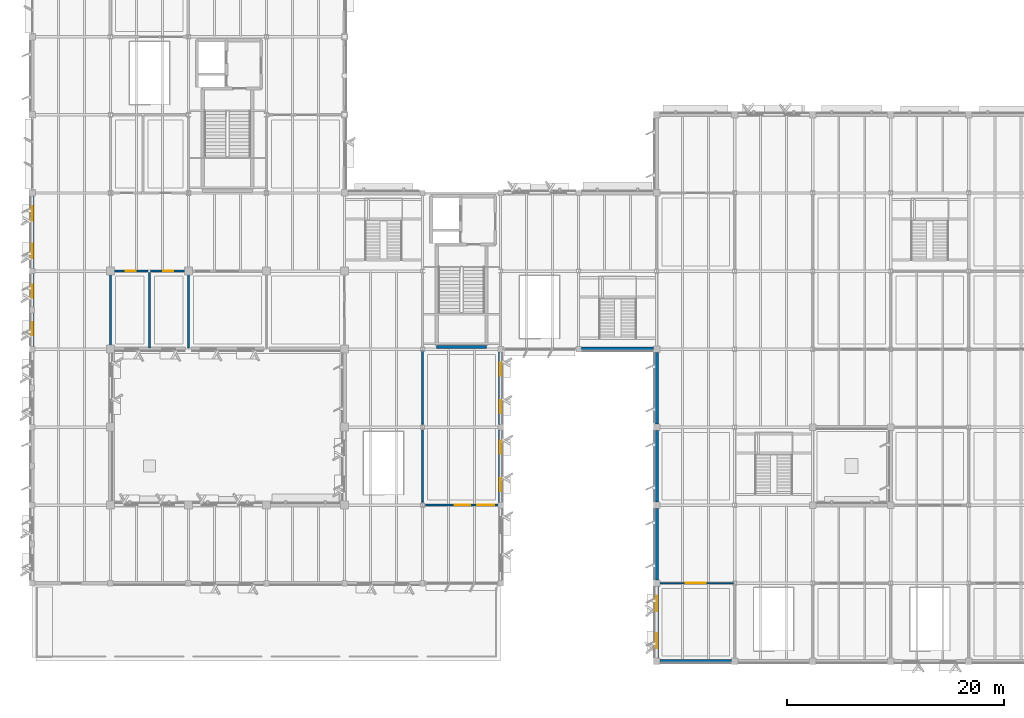
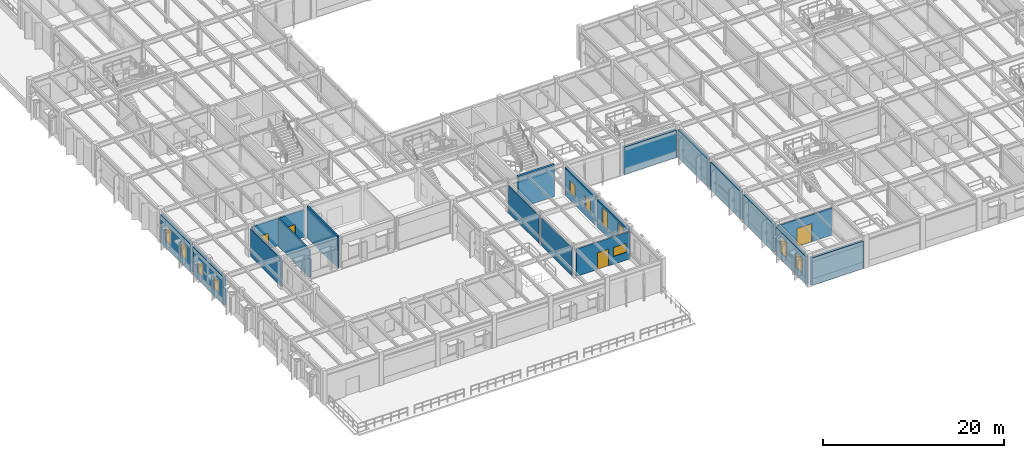
# One storey, part 32 of 92: 20 walls, 11 windows, 4 doors, 15 openings.
"""IFC4 building model written with IfcOpenShell, lengths in metres."""

from ifc_helpers import new_model, si_unit, direction, frame, frame_2d, origin, place, context, subcontext, project, spatial, rectangle, extrude, material, layer, layer_set, type_object, element, fill, save


model = new_model("IFC4")

# Units and contexts
model_context = context("Model", 3, precision=1e-05, world=origin(), true_north=direction((0.0, 1.0)))
body_context = subcontext(model_context, "Body", "Model", "MODEL_VIEW")
ifc_project = project(units=[si_unit("LENGTHUNIT", "METRE"), si_unit("AREAUNIT", "SQUARE_METRE"), si_unit("VOLUMEUNIT", "CUBIC_METRE"), si_unit("PLANEANGLEUNIT", "RADIAN"), si_unit("MASSUNIT", "GRAM", prefix="KILO")], contexts=[model_context])

# Site, building, storey
site_placement = place(None, origin())
site = spatial("IfcSite", under=ifc_project, at=site_placement, CompositionType="ELEMENT")
building_placement = place(site_placement, origin())
building = spatial("IfcBuilding", under=site, at=building_placement, Name="Sillqori Civic Hall", CompositionType="ELEMENT")
storey_placement = place(building_placement, frame((0.0, 0.0, 5.39990234375)))
storey = spatial("IfcBuildingStorey", under=building, at=storey_placement, Name="L02", CompositionType="ELEMENT", Elevation=5.39990234375)

# Wall
ifc_material_1 = material(Name="Concrete C35/45 (H35)", Category="concrete")
ifc_layer_1 = layer(ifc_material_1, 0.300048828125)
ifc_layer_set_1 = layer_set([ifc_layer_1], Name="Concrete C35/45 (H35)")
wall_type_1 = type_object("IfcWallType", Name="CW-SHR-300", PredefinedType="SHEAR", material=ifc_layer_set_1)
wall_1_placement = place(storey_placement, frame((44.510009765625, 36.199951171875, 0.0), z_axis=(0.0, 0.0, 1.0), x_axis=(1.0, 0.0, 0.0)))
element("IfcWall", 1, at=wall_1_placement, inside=storey, type_object=wall_type_1, Name="L02 C1 Stair south shear wall", PredefinedType="SHEAR", context=body_context, shape_type="SweptSolid", body=[
    extrude(rectangle(XDim=4.580078125, YDim=0.300048828125, at=frame_2d((2.2900390625, 0.0))), origin(), (0.0, 0.0, 1.0), 4.300048828125),
])

# Wall, openings, windows
ifc_material_2 = material(Name="Precast concrete C40/50 (H40)", Category="concrete")
ifc_layer_2 = layer(ifc_material_2, 0.340087890625)
ifc_layer_set_2 = layer_set([ifc_layer_2], Name="Precast concrete C40/50 (H40)")
wall_type_2 = type_object("IfcWallType", Name="EW-ARC-340", PredefinedType="SOLIDWALL", material=ifc_layer_set_2)
wall_2_placement = place(storey_placement, frame((7.199951171875, 36.25, 0.0), z_axis=(0.0, 0.0, 1.0), x_axis=(0.0, 1.0, 0.0)))
wall_2 = element("IfcWall", 2, at=wall_2_placement, inside=storey, type_object=wall_type_2, Name="L02 V1 exterior wall L02-01-05-W", PredefinedType="SOLIDWALL", context=body_context, shape_type="SweptSolid", body=[
    extrude(rectangle(XDim=6.699951171875, YDim=0.340087890625, at=frame_2d((3.35009765625, 0.0))), origin(), (0.0, 0.0, 1.0), 3.76708984375),
])
opening_1_placement = place(wall_2_placement, frame((1.008056640625, 0.0, 0.949951171875)))
opening_1 = element("IfcOpeningElement", 3, at=opening_1_placement, cuts=wall_2, Name="Opening W-22", PredefinedType="OPENING", context=body_context, shape_type="SweptSolid", body=[
    extrude(rectangle(XDim=1.199951171875, YDim=1.699951171875, at=frame_2d((0.60009765625, 0.85009765625))), frame((0.0, 0.179931640625, 0.0), z_axis=(0.0, -1.0, 0.0), x_axis=(1.0, 0.0, 0.0)), (0.0, 0.0, 1.0), 0.360107421875),
])
opening_2_placement = place(wall_2_placement, frame((4.491943359375, 0.0, 0.949951171875)))
opening_2 = element("IfcOpeningElement", 4, at=opening_2_placement, cuts=wall_2, Name="Opening W-22", PredefinedType="OPENING", context=body_context, shape_type="SweptSolid", body=[
    extrude(rectangle(XDim=1.199951171875, YDim=1.699951171875, at=frame_2d((0.60009765625, 0.85009765625))), frame((0.0, 0.179931640625, 0.0), z_axis=(0.0, -1.0, 0.0), x_axis=(1.0, 0.0, 0.0)), (0.0, 0.0, 1.0), 0.360107421875),
])
ifc_material_3 = material(Name="Thermally Broken Aluminium Low-E Window", Category="aluminium")
window_type_1 = type_object("IfcWindowType", Name="WIN-V5-120X170", PartitioningType="SINGLE_PANEL", PredefinedType="WINDOW", material=ifc_material_3)
window_1_placement = place(opening_1_placement, origin())
window_1 = element("IfcWindow", 5, at=window_1_placement, inside=storey, type_object=window_type_1, Name="L02 V1 window L02-01-05-W.1", OverallHeight=1.699951171875, OverallWidth=1.199951171875, PartitioningType="SINGLE_PANEL", PredefinedType="WINDOW", context=body_context, shape_type="SweptSolid", body=[
    extrude(rectangle(XDim=1.199951171875, YDim=1.699951171875, at=frame_2d((0.60009765625, 0.85009765625))), frame((0.0, 0.030029296875, 0.0), z_axis=(0.0, -1.0, 0.0), x_axis=(1.0, 0.0, 0.0)), (0.0, 0.0, 1.0), 0.06005859375),
])
fill(opening_1, window_1)
window_2_placement = place(opening_2_placement, origin())
window_2 = element("IfcWindow", 6, at=window_2_placement, inside=storey, type_object=window_type_1, Name="L02 V1 window L02-01-05-W.2", OverallHeight=1.699951171875, OverallWidth=1.199951171875, PartitioningType="SINGLE_PANEL", PredefinedType="WINDOW", context=body_context, shape_type="SweptSolid", body=[
    extrude(rectangle(XDim=1.199951171875, YDim=1.699951171875, at=frame_2d((0.60009765625, 0.85009765625))), frame((0.0, 0.030029296875, 0.0), z_axis=(0.0, -1.0, 0.0), x_axis=(1.0, 0.0, 0.0)), (0.0, 0.0, 1.0), 0.06005859375),
])
fill(opening_2, window_2)

wall_3_placement = place(storey_placement, frame((7.199951171875, 43.449951171875, 0.0), z_axis=(0.0, 0.0, 1.0), x_axis=(0.0, 1.0, 0.0)))
wall_3 = element("IfcWall", 7, at=wall_3_placement, inside=storey, type_object=wall_type_2, Name="L02 V1 exterior wall L02-01-06-W", PredefinedType="SOLIDWALL", context=body_context, shape_type="SweptSolid", body=[
    extrude(rectangle(XDim=6.650146484375, YDim=0.340087890625, at=frame_2d((3.3251953125, 0.0))), origin(), (0.0, 0.0, 1.0), 3.76708984375),
])
opening_3_placement = place(wall_3_placement, frame((0.946044921875, 0.0, 0.949951171875)))
opening_3 = element("IfcOpeningElement", 8, at=opening_3_placement, cuts=wall_3, Name="Opening W-10", PredefinedType="OPENING", context=body_context, shape_type="SweptSolid", body=[
    extrude(rectangle(XDim=1.300048828125, YDim=2.0, at=frame_2d((0.64990234375, 1.0))), frame((0.0, 0.179931640625, 0.0), z_axis=(0.0, -1.0, 0.0), x_axis=(1.0, 0.0, 0.0)), (0.0, 0.0, 1.0), 0.360107421875),
])
opening_4_placement = place(wall_3_placement, frame((4.404052734375, 0.0, 0.949951171875)))
opening_4 = element("IfcOpeningElement", 9, at=opening_4_placement, cuts=wall_3, Name="Opening W-10", PredefinedType="OPENING", context=body_context, shape_type="SweptSolid", body=[
    extrude(rectangle(XDim=1.300048828125, YDim=2.0, at=frame_2d((0.64990234375, 1.0))), frame((0.0, 0.179931640625, 0.0), z_axis=(0.0, -1.0, 0.0), x_axis=(1.0, 0.0, 0.0)), (0.0, 0.0, 1.0), 0.360107421875),
])
window_type_2 = type_object("IfcWindowType", Name="WIN-V3-130X200", PartitioningType="SINGLE_PANEL", PredefinedType="WINDOW", material=ifc_material_3)
window_3_placement = place(opening_3_placement, origin())
window_3 = element("IfcWindow", 10, at=window_3_placement, inside=storey, type_object=window_type_2, Name="L02 V1 window L02-01-06-W.1", OverallHeight=2.0, OverallWidth=1.300048828125, PartitioningType="SINGLE_PANEL", PredefinedType="WINDOW", context=body_context, shape_type="SweptSolid", body=[
    extrude(rectangle(XDim=1.300048828125, YDim=2.0, at=frame_2d((0.64990234375, 1.0))), frame((0.0, 0.030029296875, 0.0), z_axis=(0.0, -1.0, 0.0), x_axis=(1.0, 0.0, 0.0)), (0.0, 0.0, 1.0), 0.06005859375),
])
fill(opening_3, window_3)
window_4_placement = place(opening_4_placement, origin())
window_4 = element("IfcWindow", 11, at=window_4_placement, inside=storey, type_object=window_type_2, Name="L02 V1 window L02-01-06-W.2", OverallHeight=2.0, OverallWidth=1.300048828125, PartitioningType="SINGLE_PANEL", PredefinedType="WINDOW", context=body_context, shape_type="SweptSolid", body=[
    extrude(rectangle(XDim=1.300048828125, YDim=2.0, at=frame_2d((0.64990234375, 1.0))), frame((0.0, 0.030029296875, 0.0), z_axis=(0.0, -1.0, 0.0), x_axis=(1.0, 0.0, 0.0)), (0.0, 0.0, 1.0), 0.06005859375),
])
fill(opening_4, window_4)

wall_4_placement = place(storey_placement, frame((50.39990234375, 28.550048828125, 0.0), z_axis=(0.0, 0.0, 1.0), x_axis=(0.0, -1.0, 0.0)))
wall_4 = element("IfcWall", 12, at=wall_4_placement, inside=storey, type_object=wall_type_2, Name="L02 V1 exterior wall L02-06-03-E", PredefinedType="SOLIDWALL", context=body_context, shape_type="SweptSolid", body=[
    extrude(rectangle(XDim=6.699951171875, YDim=0.340087890625, at=frame_2d((3.35009765625, 0.0))), origin(), (0.0, 0.0, 1.0), 3.76708984375),
])
opening_5_placement = place(wall_4_placement, frame((1.008056640625, 0.0, 0.949951171875)))
opening_5 = element("IfcOpeningElement", 13, at=opening_5_placement, cuts=wall_4, Name="Opening W-06", PredefinedType="OPENING", context=body_context, shape_type="SweptSolid", body=[
    extrude(rectangle(XDim=1.199951171875, YDim=2.39990234375, at=frame_2d((0.60009765625, 1.199951171875))), frame((0.0, 0.179931640625, 0.0), z_axis=(0.0, -1.0, 0.0), x_axis=(1.0, 0.0, 0.0)), (0.0, 0.0, 1.0), 0.360107421875),
])
opening_6_placement = place(wall_4_placement, frame((4.491943359375, 0.0, 0.949951171875)))
opening_6 = element("IfcOpeningElement", 14, at=opening_6_placement, cuts=wall_4, Name="Opening W-06", PredefinedType="OPENING", context=body_context, shape_type="SweptSolid", body=[
    extrude(rectangle(XDim=1.199951171875, YDim=2.39990234375, at=frame_2d((0.60009765625, 1.199951171875))), frame((0.0, 0.179931640625, 0.0), z_axis=(0.0, -1.0, 0.0), x_axis=(1.0, 0.0, 0.0)), (0.0, 0.0, 1.0), 0.360107421875),
])
window_type_3 = type_object("IfcWindowType", Name="WIN-V1-120X240", PartitioningType="SINGLE_PANEL", PredefinedType="WINDOW", material=ifc_material_3)
window_5_placement = place(opening_5_placement, origin())
window_5 = element("IfcWindow", 15, at=window_5_placement, inside=storey, type_object=window_type_3, Name="L02 V1 window L02-06-03-E.1", OverallHeight=2.39990234375, OverallWidth=1.199951171875, PartitioningType="SINGLE_PANEL", PredefinedType="WINDOW", context=body_context, shape_type="SweptSolid", body=[
    extrude(rectangle(XDim=1.199951171875, YDim=2.39990234375, at=frame_2d((0.60009765625, 1.199951171875))), frame((0.0, 0.030029296875, 0.0), z_axis=(0.0, -1.0, 0.0), x_axis=(1.0, 0.0, 0.0)), (0.0, 0.0, 1.0), 0.06005859375),
])
fill(opening_5, window_5)
window_6_placement = place(opening_6_placement, origin())
window_6 = element("IfcWindow", 16, at=window_6_placement, inside=storey, type_object=window_type_3, Name="L02 V1 window L02-06-03-E.2", OverallHeight=2.39990234375, OverallWidth=1.199951171875, PartitioningType="SINGLE_PANEL", PredefinedType="WINDOW", context=body_context, shape_type="SweptSolid", body=[
    extrude(rectangle(XDim=1.199951171875, YDim=2.39990234375, at=frame_2d((0.60009765625, 1.199951171875))), frame((0.0, 0.030029296875, 0.0), z_axis=(0.0, -1.0, 0.0), x_axis=(1.0, 0.0, 0.0)), (0.0, 0.0, 1.0), 0.06005859375),
])
fill(opening_6, window_6)

wall_5_placement = place(storey_placement, frame((50.39990234375, 35.75, 0.0), z_axis=(0.0, 0.0, 1.0), x_axis=(0.0, -1.0, 0.0)))
wall_5 = element("IfcWall", 17, at=wall_5_placement, inside=storey, type_object=wall_type_2, Name="L02 V1 exterior wall L02-06-04-E", PredefinedType="SOLIDWALL", context=body_context, shape_type="SweptSolid", body=[
    extrude(rectangle(XDim=6.699951171875, YDim=0.340087890625, at=frame_2d((3.35009765625, 0.0))), origin(), (0.0, 0.0, 1.0), 3.76708984375),
])
opening_7_placement = place(wall_5_placement, frame((1.008056640625, 0.0, 0.949951171875)))
opening_7 = element("IfcOpeningElement", 18, at=opening_7_placement, cuts=wall_5, Name="Opening W-22", PredefinedType="OPENING", context=body_context, shape_type="SweptSolid", body=[
    extrude(rectangle(XDim=1.199951171875, YDim=1.699951171875, at=frame_2d((0.60009765625, 0.85009765625))), frame((0.0, 0.179931640625, 0.0), z_axis=(0.0, -1.0, 0.0), x_axis=(1.0, 0.0, 0.0)), (0.0, 0.0, 1.0), 0.360107421875),
])
opening_8_placement = place(wall_5_placement, frame((4.491943359375, 0.0, 0.949951171875)))
opening_8 = element("IfcOpeningElement", 19, at=opening_8_placement, cuts=wall_5, Name="Opening W-22", PredefinedType="OPENING", context=body_context, shape_type="SweptSolid", body=[
    extrude(rectangle(XDim=1.199951171875, YDim=1.699951171875, at=frame_2d((0.60009765625, 0.85009765625))), frame((0.0, 0.179931640625, 0.0), z_axis=(0.0, -1.0, 0.0), x_axis=(1.0, 0.0, 0.0)), (0.0, 0.0, 1.0), 0.360107421875),
])
window_7_placement = place(opening_7_placement, origin())
window_7 = element("IfcWindow", 20, at=window_7_placement, inside=storey, type_object=window_type_1, Name="L02 V1 window L02-06-04-E.1", OverallHeight=1.699951171875, OverallWidth=1.199951171875, PartitioningType="SINGLE_PANEL", PredefinedType="WINDOW", context=body_context, shape_type="SweptSolid", body=[
    extrude(rectangle(XDim=1.199951171875, YDim=1.699951171875, at=frame_2d((0.60009765625, 0.85009765625))), frame((0.0, 0.030029296875, 0.0), z_axis=(0.0, -1.0, 0.0), x_axis=(1.0, 0.0, 0.0)), (0.0, 0.0, 1.0), 0.06005859375),
])
fill(opening_7, window_7)
window_8_placement = place(opening_8_placement, origin())
window_8 = element("IfcWindow", 21, at=window_8_placement, inside=storey, type_object=window_type_1, Name="L02 V1 window L02-06-04-E.2", OverallHeight=1.699951171875, OverallWidth=1.199951171875, PartitioningType="SINGLE_PANEL", PredefinedType="WINDOW", context=body_context, shape_type="SweptSolid", body=[
    extrude(rectangle(XDim=1.199951171875, YDim=1.699951171875, at=frame_2d((0.60009765625, 0.85009765625))), frame((0.0, 0.030029296875, 0.0), z_axis=(0.0, -1.0, 0.0), x_axis=(1.0, 0.0, 0.0)), (0.0, 0.0, 1.0), 0.06005859375),
])
fill(opening_8, window_8)

# Walls
wall_6_placement = place(storey_placement, frame((64.5, 36.0, 0.0), z_axis=(0.0, 0.0, 1.0), x_axis=(-1.0, 0.0, 0.0)))
element("IfcWall", 22, at=wall_6_placement, inside=storey, type_object=wall_type_2, Name="L02 V1 exterior wall L02-08-05-S", PredefinedType="SOLIDWALL", context=body_context, shape_type="SweptSolid", body=[
    extrude(rectangle(XDim=6.64990234375, YDim=0.340087890625, at=frame_2d((3.324951171875, 0.0))), origin(), (0.0, 0.0, 1.0), 3.697998046875),
])
ifc_layer_3 = layer(ifc_material_2, 0.320068359375)
ifc_layer_set_3 = layer_set([ifc_layer_3], Name="Precast concrete C40/50 (H40)")
wall_type_3 = type_object("IfcWallType", Name="EW-LIME-320", PredefinedType="SOLIDWALL", material=ifc_layer_set_3)
wall_7_placement = place(storey_placement, frame((71.699951171875, 7.199951171875, 0.0), z_axis=(0.0, 0.0, 1.0), x_axis=(-1.0, 0.0, 0.0)))
element("IfcWall", 23, at=wall_7_placement, inside=storey, type_object=wall_type_3, Name="L02 V2 exterior wall L02-09-01-S", PredefinedType="SOLIDWALL", context=body_context, shape_type="SweptSolid", body=[
    extrude(rectangle(XDim=6.599853515625, YDim=0.320068359375, at=frame_2d((3.2998046875, 0.0))), origin(), (0.0, 0.0, 1.0), 3.697998046875),
])

# Wall, openings, windows
wall_8_placement = place(storey_placement, frame((64.800048828125, 7.5, 0.0), z_axis=(0.0, 0.0, 1.0), x_axis=(0.0, 1.0, 0.0)))
wall_8 = element("IfcWall", 24, at=wall_8_placement, inside=storey, type_object=wall_type_3, Name="L02 V2 exterior wall L02-09-01-W", PredefinedType="SOLIDWALL", context=body_context, shape_type="SweptSolid", body=[
    extrude(rectangle(XDim=6.60009765625, YDim=0.320068359375, at=frame_2d((3.300048828125, 0.0))), origin(), (0.0, 0.0, 1.0), 3.76708984375),
])
opening_9_placement = place(wall_8_placement, frame((0.884033203125, 0.0, 0.949951171875)))
opening_9 = element("IfcOpeningElement", 25, at=opening_9_placement, cuts=wall_8, Name="Opening W-03", PredefinedType="OPENING", context=body_context, shape_type="SweptSolid", body=[
    extrude(rectangle(XDim=1.39990234375, YDim=2.10009765625, at=frame_2d((0.699951171875, 1.050048828125))), frame((0.0, 0.169921875, 0.0), z_axis=(0.0, -1.0, 0.0), x_axis=(1.0, 0.0, 0.0)), (0.0, 0.0, 1.0), 0.340087890625),
])
opening_10_placement = place(wall_8_placement, frame((4.31591796875, 0.0, 0.949951171875)))
opening_10 = element("IfcOpeningElement", 26, at=opening_10_placement, cuts=wall_8, Name="Opening W-03", PredefinedType="OPENING", context=body_context, shape_type="SweptSolid", body=[
    extrude(rectangle(XDim=1.39990234375, YDim=2.10009765625, at=frame_2d((0.699951171875, 1.050048828125))), frame((0.0, 0.169921875, 0.0), z_axis=(0.0, -1.0, 0.0), x_axis=(1.0, 0.0, 0.0)), (0.0, 0.0, 1.0), 0.340087890625),
])
window_type_4 = type_object("IfcWindowType", Name="WIN-V2-140X210", PartitioningType="SINGLE_PANEL", PredefinedType="WINDOW", material=ifc_material_3)
window_9_placement = place(opening_9_placement, origin())
window_9 = element("IfcWindow", 27, at=window_9_placement, inside=storey, type_object=window_type_4, Name="L02 V2 window L02-09-01-W.1", OverallHeight=2.10009765625, OverallWidth=1.39990234375, PartitioningType="SINGLE_PANEL", PredefinedType="WINDOW", context=body_context, shape_type="SweptSolid", body=[
    extrude(rectangle(XDim=1.39990234375, YDim=2.10009765625, at=frame_2d((0.699951171875, 1.050048828125))), frame((0.0, 0.030029296875, 0.0), z_axis=(0.0, -1.0, 0.0), x_axis=(1.0, 0.0, 0.0)), (0.0, 0.0, 1.0), 0.06005859375),
])
fill(opening_9, window_9)
window_10_placement = place(opening_10_placement, origin())
window_10 = element("IfcWindow", 28, at=window_10_placement, inside=storey, type_object=window_type_4, Name="L02 V2 window L02-09-01-W.2", OverallHeight=2.10009765625, OverallWidth=1.39990234375, PartitioningType="SINGLE_PANEL", PredefinedType="WINDOW", context=body_context, shape_type="SweptSolid", body=[
    extrude(rectangle(XDim=1.39990234375, YDim=2.10009765625, at=frame_2d((0.699951171875, 1.050048828125))), frame((0.0, 0.030029296875, 0.0), z_axis=(0.0, -1.0, 0.0), x_axis=(1.0, 0.0, 0.0)), (0.0, 0.0, 1.0), 0.06005859375),
])
fill(opening_10, window_10)

# Walls
for number, where, z_axis, x_axis, name in (
    (29, (64.800048828125, 14.699951171875, 0.0), (0.0, 0.0, 1.0), (0.0, 1.0, 0.0), "L02 V2 exterior wall L02-09-02-W"),
    (30, (64.800048828125, 21.89990234375, 0.0), (0.0, 0.0, 1.0), (0.0, 1.0, 0.0), "L02 V2 exterior wall L02-09-03-W"),
):
    element("IfcWall", number, at=place(storey_placement, frame(where, z_axis=z_axis, x_axis=x_axis)), inside=storey, type_object=wall_type_3, Name=name, PredefinedType="SOLIDWALL", context=body_context, shape_type="SweptSolid", body=[
        extrude(rectangle(XDim=6.60009765625, YDim=0.320068359375, at=frame_2d((3.300048828125, 0.0))), origin(), (0.0, 0.0, 1.0), 3.76708984375),
    ])
wall_9_placement = place(storey_placement, frame((64.800048828125, 29.10009765625, 0.0), z_axis=(0.0, 0.0, 1.0), x_axis=(0.0, 1.0, 0.0)))
element("IfcWall", 31, at=wall_9_placement, inside=storey, type_object=wall_type_3, Name="L02 V2 exterior wall L02-09-04-W", PredefinedType="SOLIDWALL", context=body_context, shape_type="SweptSolid", body=[
    extrude(rectangle(XDim=6.599853515625, YDim=0.320068359375, at=frame_2d((3.2998046875, 0.0))), origin(), (0.0, 0.0, 1.0), 3.76708984375),
])

# Wall, opening, door
ifc_material_4 = material(Name="Corridor Fire-Rated Partition 150", Category="gypsum")
ifc_layer_4 = layer(ifc_material_4, 0.14990234375)
ifc_layer_set_4 = layer_set([ifc_layer_4], Name="Corridor Fire-Rated Partition 150")
wall_type_4 = type_object("IfcWallType", Name="PT-GYP-150", PredefinedType="PARTITIONING", material=ifc_layer_set_4)
wall_10_placement = place(storey_placement, frame((64.919921875, 14.39990234375, 0.0), z_axis=(0.0, 0.0, 1.0), x_axis=(1.0, 0.0, 0.0)))
wall_10 = element("IfcWall", 32, at=wall_10_placement, inside=storey, type_object=wall_type_4, Name="Citizens Tax and Property Assessment Suite partition N1", PredefinedType="PARTITIONING", context=body_context, shape_type="SweptSolid", body=[
    extrude(rectangle(XDim=6.9599609375, YDim=0.14990234375, at=frame_2d((3.47998046875, 0.0))), origin(), (0.0, 0.0, 1.0), 3.68798828125),
])
opening_11_placement = place(wall_10_placement, frame((2.554931640625, 0.0, 0.0)))
opening_11 = element("IfcOpeningElement", 33, at=opening_11_placement, cuts=wall_10, Name="Opening ID-05", PredefinedType="OPENING", context=body_context, shape_type="SweptSolid", body=[
    extrude(rectangle(XDim=1.85009765625, YDim=2.449951171875, at=frame_2d((0.925048828125, 1.22509765625))), frame((0.0, 0.0849609375, 0.0), z_axis=(0.0, -1.0, 0.0), x_axis=(1.0, 0.0, 0.0)), (0.0, 0.0, 1.0), 0.169921875),
])
ifc_material_5 = material(Name="Citizens Counter Glazed Double Door", Category="aluminium")
door_type_1 = type_object("IfcDoorType", Name="IDR-CSC-185X245", OperationType="NOTDEFINED", PredefinedType="DOOR", material=ifc_material_5)
door_1_placement = place(opening_11_placement, origin())
door_1 = element("IfcDoor", 34, at=door_1_placement, inside=storey, type_object=door_type_1, Name="Citizens Tax and Property Assessment Suite entrance door", OperationType="DOUBLE_DOOR_SINGLE_SWING", OverallHeight=2.449951171875, OverallWidth=1.85009765625, PredefinedType="DOOR", context=body_context, shape_type="SweptSolid", body=[
    extrude(rectangle(XDim=1.85009765625, YDim=2.449951171875, at=frame_2d((0.925048828125, 1.22509765625))), frame((0.0, 0.02490234375, 0.0), z_axis=(0.0, -1.0, 0.0), x_axis=(1.0, 0.0, 0.0)), (0.0, 0.0, 1.0), 0.050048828125),
])
fill(opening_11, door_1)

# Wall, openings, door, window
ifc_material_6 = material(Name="Concrete C25/30 (H25)", Category="concrete")
ifc_layer_5 = layer(ifc_material_6, 0.175048828125)
ifc_layer_set_5 = layer_set([ifc_layer_5], Name="Concrete C25/30 (H25)")
wall_type_5 = type_object("IfcWallType", Name="PT-MAS-175", PredefinedType="PARTITIONING", material=ifc_layer_set_5)
wall_11_placement = place(storey_placement, frame((50.280029296875, 21.60009765625, 0.0), z_axis=(0.0, 0.0, 1.0), x_axis=(-1.0, 0.0, 0.0)))
wall_11 = element("IfcWall", 35, at=wall_11_placement, inside=storey, type_object=wall_type_5, Name="Broadcast Control and Parliamentary Recording Room partition S1", PredefinedType="PARTITIONING", context=body_context, shape_type="SweptSolid", body=[
    extrude(rectangle(XDim=6.800048828125, YDim=0.175048828125, at=frame_2d((3.39990234375, 0.0))), origin(), (0.0, 0.0, 1.0), 3.68798828125),
])
opening_12_placement = place(wall_11_placement, frame((2.68994140625, 0.0, 0.0)))
opening_12 = element("IfcOpeningElement", 36, at=opening_12_placement, cuts=wall_11, Name="Opening ID-34", PredefinedType="OPENING", context=body_context, shape_type="SweptSolid", body=[
    extrude(rectangle(XDim=1.419921875, YDim=2.260009765625, at=frame_2d((0.7099609375, 1.1298828125))), frame((0.0, 0.097412109375, 0.0), z_axis=(0.0, -1.0, 0.0), x_axis=(1.0, 0.0, 0.0)), (0.0, 0.0, 1.0), 0.195068359375),
])
opening_13_placement = place(wall_11_placement, frame((0.449951171875, 0.0, 1.050048828125)))
opening_13 = element("IfcOpeningElement", 37, at=opening_13_placement, cuts=wall_11, Name="Opening IW-01", PredefinedType="OPENING", context=body_context, shape_type="SweptSolid", body=[
    extrude(rectangle(XDim=1.60009765625, YDim=1.199951171875, at=frame_2d((0.800048828125, 0.60009765625))), frame((0.0, 0.097412109375, 0.0), z_axis=(0.0, -1.0, 0.0), x_axis=(1.0, 0.0, 0.0)), (0.0, 0.0, 1.0), 0.195068359375),
])
ifc_material_7 = material(Name="Planning Studio Double Door 1420", Category="timber")
door_type_2 = type_object("IfcDoorType", Name="IDR-DIR-142X226", OperationType="NOTDEFINED", PredefinedType="DOOR", material=ifc_material_7)
door_2_placement = place(opening_12_placement, origin())
door_2 = element("IfcDoor", 38, at=door_2_placement, inside=storey, type_object=door_type_2, Name="Broadcast Control and Parliamentary Recording Room entrance door", OperationType="DOUBLE_DOOR_SINGLE_SWING", OverallHeight=2.260009765625, OverallWidth=1.419921875, PredefinedType="DOOR", context=body_context, shape_type="SweptSolid", body=[
    extrude(rectangle(XDim=1.419921875, YDim=2.260009765625, at=frame_2d((0.7099609375, 1.1298828125))), frame((0.0, 0.02490234375, 0.0), z_axis=(0.0, -1.0, 0.0), x_axis=(1.0, 0.0, 0.0)), (0.0, 0.0, 1.0), 0.050048828125),
])
fill(opening_12, door_2)
ifc_material_8 = material(Name="Acoustic Laminated Interior Clerestory Glazing", Category="glass")
window_type_5 = type_object("IfcWindowType", Name="IWN-OFF-160X120", PartitioningType="SINGLE_PANEL", PredefinedType="WINDOW", material=ifc_material_8)
window_11_placement = place(opening_13_placement, origin())
window_11 = element("IfcWindow", 39, at=window_11_placement, inside=storey, type_object=window_type_5, Name="Broadcast Control and Parliamentary Recording Room borrowed-light screen", OverallHeight=1.199951171875, OverallWidth=1.60009765625, PartitioningType="SINGLE_PANEL", PredefinedType="WINDOW", context=body_context, shape_type="SweptSolid", body=[
    extrude(rectangle(XDim=1.60009765625, YDim=1.199951171875, at=frame_2d((0.800048828125, 0.60009765625))), frame((0.0, 0.030029296875, 0.0), z_axis=(0.0, -1.0, 0.0), x_axis=(1.0, 0.0, 0.0)), (0.0, 0.0, 1.0), 0.06005859375),
])
fill(opening_13, window_11)

# Walls
wall_12_placement = place(storey_placement, frame((43.199951171875, 21.8798828125, 0.0), z_axis=(0.0, 0.0, 1.0), x_axis=(0.0, 1.0, 0.0)))
element("IfcWall", 40, at=wall_12_placement, inside=storey, type_object=wall_type_5, Name="Broadcast Control and Parliamentary Recording Room partition W3", PredefinedType="PARTITIONING", context=body_context, shape_type="SweptSolid", body=[
    extrude(rectangle(XDim=6.64013671875, YDim=0.175048828125, at=frame_2d((3.320068359375, 0.0))), origin(), (0.0, 0.0, 1.0), 3.757080078125),
])
wall_13_placement = place(storey_placement, frame((43.199951171875, 29.080078125, 0.0), z_axis=(0.0, 0.0, 1.0), x_axis=(0.0, 1.0, 0.0)))
element("IfcWall", 41, at=wall_13_placement, inside=storey, type_object=wall_type_5, Name="Broadcast Control and Parliamentary Recording Room partition W4", PredefinedType="PARTITIONING", context=body_context, shape_type="SweptSolid", body=[
    extrude(rectangle(XDim=6.7998046875, YDim=0.175048828125, at=frame_2d((3.39990234375, 0.0))), origin(), (0.0, 0.0, 1.0), 3.68798828125),
])

# Wall, opening, door
ifc_layer_6 = layer(ifc_material_6, 0.18994140625)
ifc_layer_set_6 = layer_set([ifc_layer_6], Name="Concrete C25/30 (H25)")
wall_type_6 = type_object("IfcWallType", Name="PT-MAS-190", PredefinedType="PARTITIONING", material=ifc_layer_set_6)
wall_14_placement = place(storey_placement, frame((14.679931640625, 43.199951171875, 0.0), z_axis=(0.0, 0.0, 1.0), x_axis=(1.0, 0.0, 0.0)))
wall_14 = element("IfcWall", 42, at=wall_14_placement, inside=storey, type_object=wall_type_6, Name="L02 Public Male WC partition N1", PredefinedType="PARTITIONING", context=body_context, shape_type="SweptSolid", body=[
    extrude(rectangle(XDim=3.199951171875, YDim=0.18994140625, at=frame_2d((1.60009765625, 0.0))), origin(), (0.0, 0.0, 1.0), 3.68798828125),
])
opening_14_placement = place(wall_14_placement, frame((1.1201171875, 0.0, 0.0)))
opening_14 = element("IfcOpeningElement", 43, at=opening_14_placement, cuts=wall_14, Name="Opening ID-20", PredefinedType="OPENING", context=body_context, shape_type="SweptSolid", body=[
    extrude(rectangle(XDim=0.9599609375, YDim=2.10009765625, at=frame_2d((0.47998046875, 1.050048828125))), frame((0.0, 0.10498046875, 0.0), z_axis=(0.0, -1.0, 0.0), x_axis=(1.0, 0.0, 0.0)), (0.0, 0.0, 1.0), 0.2099609375),
])
ifc_material_9 = material(Name="Moisture-Resistant Sanitary Door 960", Category="timber")
door_type_3 = type_object("IfcDoorType", Name="IDR-WC-096X210", OperationType="NOTDEFINED", PredefinedType="DOOR", material=ifc_material_9)
door_3_placement = place(opening_14_placement, origin())
door_3 = element("IfcDoor", 44, at=door_3_placement, inside=storey, type_object=door_type_3, Name="L02 Public Male WC entrance door", OperationType="SINGLE_SWING_RIGHT", OverallHeight=2.10009765625, OverallWidth=0.9599609375, PredefinedType="DOOR", context=body_context, shape_type="SweptSolid", body=[
    extrude(rectangle(XDim=0.9599609375, YDim=2.10009765625, at=frame_2d((0.47998046875, 1.050048828125))), frame((0.0, 0.02490234375, 0.0), z_axis=(0.0, -1.0, 0.0), x_axis=(1.0, 0.0, 0.0)), (0.0, 0.0, 1.0), 0.050048828125),
])
fill(opening_14, door_3)

# Walls
wall_15_placement = place(storey_placement, frame((14.39990234375, 36.1201171875, 0.0), z_axis=(0.0, 0.0, 1.0), x_axis=(0.0, 1.0, 0.0)))
element("IfcWall", 45, at=wall_15_placement, inside=storey, type_object=wall_type_6, Name="L02 Public Male WC partition W2", PredefinedType="PARTITIONING", context=body_context, shape_type="SweptSolid", body=[
    extrude(rectangle(XDim=6.7998046875, YDim=0.18994140625, at=frame_2d((3.39990234375, 0.0))), origin(), (0.0, 0.0, 1.0), 3.68798828125),
])
wall_16_placement = place(storey_placement, frame((18.0, 43.080078125, 0.0), z_axis=(0.0, 0.0, 1.0), x_axis=(0.0, -1.0, 0.0)))
element("IfcWall", 46, at=wall_16_placement, inside=storey, type_object=wall_type_6, Name="L02 Public Male WC partition E3", PredefinedType="PARTITIONING", context=body_context, shape_type="SweptSolid", body=[
    extrude(rectangle(XDim=6.9599609375, YDim=0.18994140625, at=frame_2d((3.47998046875, 0.0))), origin(), (0.0, 0.0, 1.0), 3.68798828125),
])

# Wall, opening, door
wall_17_placement = place(storey_placement, frame((18.1201171875, 43.199951171875, 0.0), z_axis=(0.0, 0.0, 1.0), x_axis=(1.0, 0.0, 0.0)))
wall_17 = element("IfcWall", 47, at=wall_17_placement, inside=storey, type_object=wall_type_6, Name="L02 Public Female WC partition N1", PredefinedType="PARTITIONING", context=body_context, shape_type="SweptSolid", body=[
    extrude(rectangle(XDim=3.199951171875, YDim=0.18994140625, at=frame_2d((1.60009765625, 0.0))), origin(), (0.0, 0.0, 1.0), 3.68798828125),
])
opening_15_placement = place(wall_17_placement, frame((1.139892578125, 0.0, 0.0)))
opening_15 = element("IfcOpeningElement", 48, at=opening_15_placement, cuts=wall_17, Name="Opening ID-19", PredefinedType="OPENING", context=body_context, shape_type="SweptSolid", body=[
    extrude(rectangle(XDim=0.919921875, YDim=2.10009765625, at=frame_2d((0.4599609375, 1.050048828125))), frame((0.0, 0.10498046875, 0.0), z_axis=(0.0, -1.0, 0.0), x_axis=(1.0, 0.0, 0.0)), (0.0, 0.0, 1.0), 0.2099609375),
])
ifc_material_10 = material(Name="Moisture-Resistant Sanitary Door 920", Category="timber")
door_type_4 = type_object("IfcDoorType", Name="IDR-WC-092X210", OperationType="NOTDEFINED", PredefinedType="DOOR", material=ifc_material_10)
door_4_placement = place(opening_15_placement, origin())
door_4 = element("IfcDoor", 49, at=door_4_placement, inside=storey, type_object=door_type_4, Name="L02 Public Female WC entrance door", OperationType="SINGLE_SWING_LEFT", OverallHeight=2.10009765625, OverallWidth=0.919921875, PredefinedType="DOOR", context=body_context, shape_type="SweptSolid", body=[
    extrude(rectangle(XDim=0.919921875, YDim=2.10009765625, at=frame_2d((0.4599609375, 1.050048828125))), frame((0.0, 0.02490234375, 0.0), z_axis=(0.0, -1.0, 0.0), x_axis=(1.0, 0.0, 0.0)), (0.0, 0.0, 1.0), 0.050048828125),
])
fill(opening_15, door_4)

# Wall
wall_18_placement = place(storey_placement, frame((21.60009765625, 42.919921875, 0.0), z_axis=(0.0, 0.0, 1.0), x_axis=(0.0, -1.0, 0.0)))
element("IfcWall", 50, at=wall_18_placement, inside=storey, type_object=wall_type_6, Name="L02 Public Female WC partition E3", PredefinedType="PARTITIONING", context=body_context, shape_type="SweptSolid", body=[
    extrude(rectangle(XDim=6.7998046875, YDim=0.18994140625, at=frame_2d((3.39990234375, 0.0))), origin(), (0.0, 0.0, 1.0), 4.300048828125),
])

save(model, "model.ifc")
